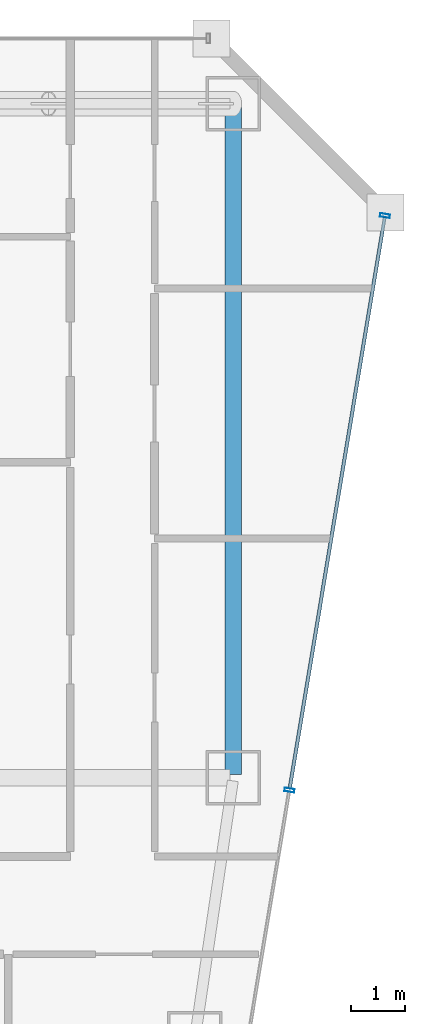
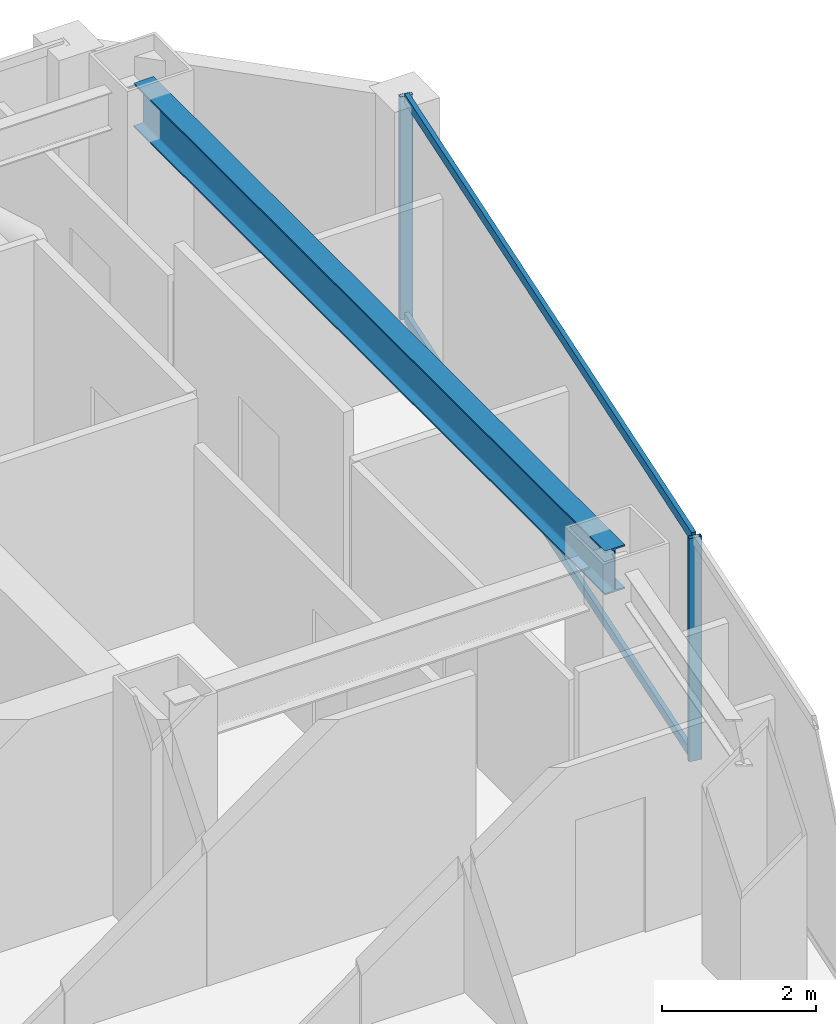
# One storey, part 26 of 37: 4 members, 1 beam, 1 element without a shape of its own.
"""IFC4 building model written with IfcOpenShell, lengths in metres."""

from ifc_helpers import new_model, si_unit, direction, frame, origin, origin_2d, place, context, subcontext, project, spatial, hollow_rectangle, i_section, extrude, material, material_profile, profile_set, type_object, element, aggregate, save


model = new_model("IFC4")

# Units and contexts
model_context = context("Model", 3, precision=1e-05, world=origin(), true_north=direction((0.0, 1.0)))
body_context = subcontext(model_context, "Body", "Model", "MODEL_VIEW")
ifc_project = project(units=[si_unit("LENGTHUNIT", "METRE"), si_unit("AREAUNIT", "SQUARE_METRE"), si_unit("VOLUMEUNIT", "CUBIC_METRE"), si_unit("PLANEANGLEUNIT", "RADIAN"), si_unit("MASSUNIT", "GRAM", prefix="KILO")], contexts=[model_context])

# Site, building, storey
site_placement = place(None, origin())
site = spatial("IfcSite", under=ifc_project, at=site_placement, CompositionType="ELEMENT")
building_placement = place(site_placement, origin())
building = spatial("IfcBuilding", under=site, at=building_placement, Name="Saevonmaru Cultural Tower", CompositionType="ELEMENT")
storey_placement = place(building_placement, frame((0.0, 0.0, 141.0)))
storey = spatial("IfcBuildingStorey", under=building, at=storey_placement, Name="L30", CompositionType="ELEMENT", Elevation=141.0)

# Beam
ifc_material_1 = material(Name="Steel SM355", Category="steel")
ifc_material_profile_1 = material_profile(ifc_material_1, i_section(OverallWidth=0.300048828125, OverallDepth=0.699951171875, WebThickness=0.012939453125, FlangeThickness=0.02392578125, FilletRadius=0.02587890625, at=origin_2d()), Name="H-700x300x13x24")
ifc_profile_set_1 = profile_set([ifc_material_profile_1], Name="Steel SM355")
beam_type = type_object("IfcBeamType", Name="BM-G-H700", PredefinedType="BEAM", material=ifc_profile_set_1)
beam_placement = place(storey_placement, frame((53.199951171875, 54.739990234375, 3.199951171875), z_axis=(0.0, -1.0, 0.0), x_axis=(1.0, 0.0, 0.0)))
element("IfcBeam", 1, at=beam_placement, inside=storey, type_object=beam_type, Name="L30 Spine Transverse Girder E", PredefinedType="BEAM", context=body_context, shape_type="SweptSolid", body=[
    extrude(i_section(OverallWidth=0.300048828125, OverallDepth=0.699951171875, WebThickness=0.012939453125, FlangeThickness=0.02392578125, FilletRadius=0.02587890625, at=origin_2d()), origin(), (0.0, 0.0, 1.0), 12.280029296875),
])

# Curtain wall, members
ifc_material_2 = material(Name="Satin Bronze Anodised Aluminium", Category="aluminium")
curtain_wall_type = type_object("IfcCurtainWallType", Name="CW-TYP-A", PredefinedType="NOTDEFINED", material=ifc_material_2)
curtain_wall_placement = place(storey_placement, origin())
curtain_wall = element("IfcCurtainWall", 2, at=curtain_wall_placement, inside=storey, type_object=curtain_wall_type, Name="L30 Unitised Curtain Wall E8", PredefinedType="NOTDEFINED")
ifc_material_profile_2 = material_profile(ifc_material_2, hollow_rectangle(XDim=0.06494140625, YDim=0.179931640625, WallThickness=0.00390625, at=origin_2d()), Name="ALU-MULL-180x65x4")
ifc_profile_set_2 = profile_set([ifc_material_profile_2], Name="Satin Bronze Anodised Aluminium")
member_type_1 = type_object("IfcMemberType", Name="ML-CW-180x65", PredefinedType="MULLION", material=ifc_profile_set_2)
member_1_placement = place(storey_placement, frame((54.23291015625, 42.17041015625, 0.0), z_axis=(0.0, 0.0, 1.0), x_axis=(0.163998702345, 0.986460554523, 0.0)))
member_1 = element("IfcMember", 3, at=member_1_placement, type_object=member_type_1, Name="CW-TW-L30-E8 mullion 4", PredefinedType="MULLION", context=body_context, shape_type="SweptSolid", body=[
    extrude(hollow_rectangle(XDim=0.06494140625, YDim=0.179931640625, WallThickness=0.00390625, at=origin_2d()), origin(), (0.0, 0.0, 1.0), 3.550048828125),
])
member_2_placement = place(storey_placement, frame((55.990234375, 52.74072265625, 0.0), z_axis=(0.0, 0.0, 1.0), x_axis=(0.163998702345, 0.986460554523, 0.0)))
member_2 = element("IfcMember", 4, at=member_2_placement, type_object=member_type_1, Name="CW-TW-L30-E8 mullion 5", PredefinedType="MULLION", context=body_context, shape_type="SweptSolid", body=[
    extrude(hollow_rectangle(XDim=0.06494140625, YDim=0.179931640625, WallThickness=0.00390625, at=origin_2d()), origin(), (0.0, 0.0, 1.0), 3.550048828125),
])
ifc_material_profile_3 = material_profile(ifc_material_2, hollow_rectangle(XDim=0.06494140625, YDim=0.14990234375, WallThickness=0.00390625, at=origin_2d()), Name="ALU-TRAN-150x65x4")
ifc_profile_set_3 = profile_set([ifc_material_profile_3], Name="Satin Bronze Anodised Aluminium")
member_type_2 = type_object("IfcMemberType", Name="TR-CW-150x65", PredefinedType="USERDEFINED", material=ifc_profile_set_3)
member_3_placement = place(storey_placement, frame((54.23828125, 42.202392578125, 0.032470703125), z_axis=(0.163990079074, 0.9864619881, 0.0), x_axis=(-0.9864619881, 0.163990079074, 0.0)))
member_3 = element("IfcMember", 5, at=member_3_placement, type_object=member_type_2, Name="CW-TW-L30-E8 transom 4.1", ObjectType="TRANSOM", PredefinedType="USERDEFINED", context=body_context, shape_type="SweptSolid", body=[
    extrude(hollow_rectangle(XDim=0.06494140625, YDim=0.14990234375, WallThickness=0.00390625, at=origin_2d()), origin(), (0.0, 0.0, 1.0), 10.650634765625),
])
member_4_placement = place(storey_placement, frame((54.23828125, 42.202392578125, 3.517578125), z_axis=(0.163990079074, 0.9864619881, 0.0), x_axis=(-0.9864619881, 0.163990079074, 0.0)))
member_4 = element("IfcMember", 6, at=member_4_placement, type_object=member_type_2, Name="CW-TW-L30-E8 transom 4.2", ObjectType="TRANSOM", PredefinedType="USERDEFINED", context=body_context, shape_type="SweptSolid", body=[
    extrude(hollow_rectangle(XDim=0.06494140625, YDim=0.14990234375, WallThickness=0.00390625, at=origin_2d()), origin(), (0.0, 0.0, 1.0), 10.650634765625),
])
aggregate(curtain_wall, [member_1, member_2, member_3, member_4])

save(model, "model.ifc")
